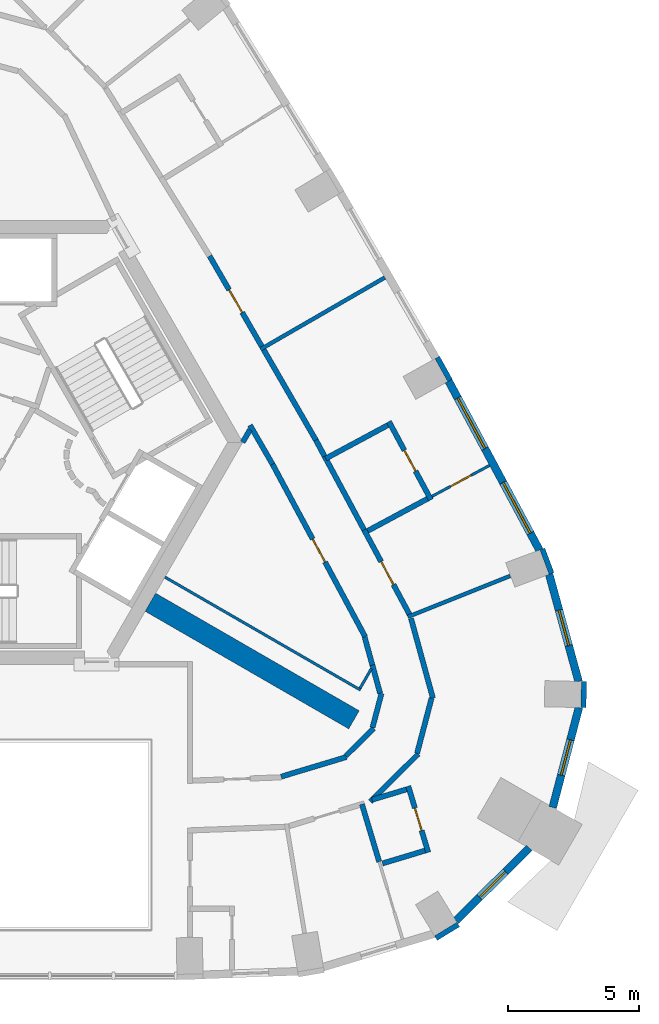
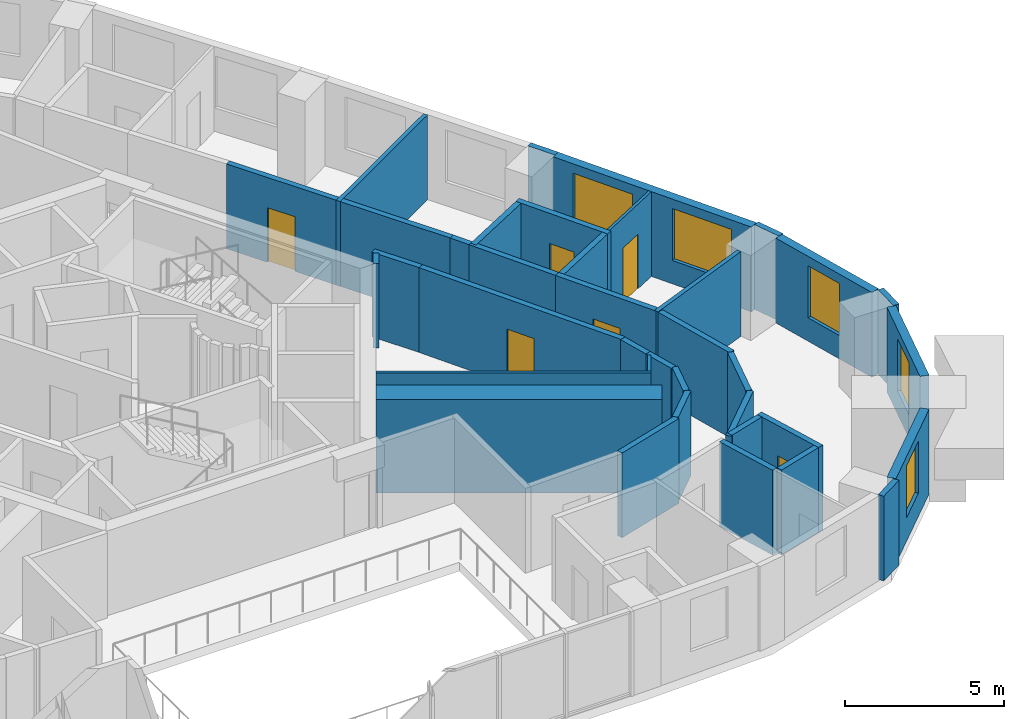
# One storey, part 7 of 11: 37 walls, 6 doors, 5 windows, 11 openings.
"""IFC4 building model written with IfcOpenShell, lengths in metres."""

from ifc_helpers import new_model, si_unit, direction, frame, frame_2d, origin, place, context, subcontext, project, spatial, rectangle, extrude, material, layer, layer_set, type_object, element, fill, save


model = new_model("IFC4")

# Units and contexts
model_context = context("Model", 3, precision=1e-05, world=origin(), true_north=direction((0.0, 1.0)))
body_context = subcontext(model_context, "Body", "Model", "MODEL_VIEW")
ifc_project = project(units=[si_unit("LENGTHUNIT", "METRE"), si_unit("AREAUNIT", "SQUARE_METRE"), si_unit("VOLUMEUNIT", "CUBIC_METRE"), si_unit("PLANEANGLEUNIT", "RADIAN"), si_unit("MASSUNIT", "GRAM", prefix="KILO")], contexts=[model_context])

# Site, building, storey
site_placement = place(None, origin())
site = spatial("IfcSite", under=ifc_project, at=site_placement, CompositionType="ELEMENT")
building_placement = place(site_placement, origin())
building = spatial("IfcBuilding", under=site, at=building_placement, Name="Entoto Arch Interchange Tower", CompositionType="ELEMENT")
storey_placement = place(building_placement, frame((0.0, 0.0, 304.39990234375)))
storey = spatial("IfcBuildingStorey", under=building, at=storey_placement, Name="L71", CompositionType="ELEMENT", Elevation=304.39990234375)

# Walls
ifc_material_1 = material(Name="Concrete C40/50", Category="concrete")
ifc_layer_1 = layer(ifc_material_1, 0.800048828125)
ifc_layer_set_1 = layer_set([ifc_layer_1], Name="Concrete C40/50")
wall_type_1 = type_object("IfcWallType", Name="Buttress wall 800 C40/50", PredefinedType="SHEAR", material=ifc_layer_set_1)
wall_1_placement = place(storey_placement, frame((6.279052734375, -3.625, -0.33984375), z_axis=(0.0, 0.0, 1.0), x_axis=(0.866017533419, -0.500013631625, 0.0)))
element("IfcWall", 1, at=wall_1_placement, inside=storey, type_object=wall_type_1, Name="Buttress wall SE L71", PredefinedType="SHEAR", context=body_context, shape_type="SweptSolid", body=[
    extrude(rectangle(XDim=8.999755859375, YDim=0.800048828125, at=frame_2d((4.5, 0.0))), origin(), (0.0, 0.0, 1.0), 3.599853515625),
])
ifc_material_2 = material(Name="Gypsum board partition on steel studs", Category="steel")
ifc_layer_2 = layer(ifc_material_2, 0.10009765625)
ifc_layer_set_2 = layer_set([ifc_layer_2], Name="Gypsum board partition on steel studs")
wall_type_2 = type_object("IfcWallType", Name="PARTITION 100", PredefinedType="PARTITIONING", material=ifc_layer_set_2)
wall_2_placement = place(storey_placement, frame((6.8349609375, -2.662109375, 0.0), z_axis=(0.0, 0.0, 1.0), x_axis=(0.866023427642, -0.500003422764, 0.0)))
element("IfcWall", 2, at=wall_2_placement, inside=storey, type_object=wall_type_2, Name="wall:L71:p083", PredefinedType="PARTITIONING", context=body_context, shape_type="SweptSolid", body=[
    extrude(rectangle(XDim=8.64990234375, YDim=0.10009765625, at=frame_2d((4.324951171875, 0.0))), origin(), (0.0, 0.0, 1.0), 3.260009765625),
])
wall_3_placement = place(storey_placement, frame((14.306884765625, -6.9189453125, 0.0), z_axis=(0.0, 0.0, 1.0), x_axis=(0.500305662732, 0.865848857387, 0.0)))
element("IfcWall", 3, at=wall_3_placement, inside=storey, type_object=wall_type_2, Name="wall:L71:p084", PredefinedType="PARTITIONING", context=body_context, shape_type="SweptSolid", body=[
    extrude(rectangle(XDim=0.86962890625, YDim=0.10009765625, at=frame_2d((0.434814453125, 0.0))), origin(), (0.0, 0.0, 1.0), 3.260009765625),
])

# Wall, opening, door
wall_4_placement = place(storey_placement, frame((17.06298828125, 0.431884765625, 0.0), z_axis=(0.0, 0.0, 1.0), x_axis=(0.881003472222, 0.473109799024, 0.0)))
wall_4 = element("IfcWall", 4, at=wall_4_placement, inside=storey, type_object=wall_type_2, Name="wall:L71:p099", PredefinedType="PARTITIONING", context=body_context, shape_type="SweptSolid", body=[
    extrude(rectangle(XDim=2.500732421875, YDim=0.10009765625, at=frame_2d((1.25048828125, 0.0))), origin(), (0.0, 0.0, 1.0), 3.260009765625),
])
opening_1_placement = place(wall_4_placement, frame((0.800048828125, 0.0, 0.0)))
opening_1 = element("IfcOpeningElement", 5, at=opening_1_placement, cuts=wall_4, Name="Opening L71-D07", PredefinedType="OPENING", context=body_context, shape_type="SweptSolid", body=[
    extrude(rectangle(XDim=0.89990234375, YDim=2.10009765625, at=frame_2d((0.449951171875, 1.050048828125))), frame((0.0, 0.06005859375, 0.0), z_axis=(0.0, -1.0, 0.0), x_axis=(1.0, 0.0, 0.0)), (0.0, 0.0, 1.0), 0.1201171875),
])
ifc_material_3 = material(Name="Timber door leaf in Steel S235 frame", Category="steel")
door_type_1 = type_object("IfcDoorType", Name="DOOR DS-09 900x2100", OperationType="SINGLE_SWING_LEFT", PredefinedType="DOOR", material=ifc_material_3)
door_1_placement = place(opening_1_placement, origin())
door_1 = element("IfcDoor", 6, at=door_1_placement, inside=storey, type_object=door_type_1, Name="door:L71:07", OperationType="SINGLE_SWING_LEFT", OverallHeight=2.10009765625, OverallWidth=0.89990234375, PredefinedType="DOOR", context=body_context, shape_type="SweptSolid", body=[
    extrude(rectangle(XDim=0.89990234375, YDim=2.10009765625, at=frame_2d((0.449951171875, 1.050048828125))), frame((0.0, 0.02490234375, 0.0), z_axis=(0.0, -1.0, 0.0), x_axis=(1.0, 0.0, 0.0)), (0.0, 0.0, 1.0), 0.050048828125),
])
fill(opening_1, door_1)

# Walls
ifc_layer_3 = layer(ifc_material_2, 0.14990234375)
ifc_layer_set_3 = layer_set([ifc_layer_3], Name="Gypsum board partition on steel studs")
wall_type_3 = type_object("IfcWallType", Name="PARTITION 150", PredefinedType="PARTITIONING", material=ifc_layer_set_3)
wall_5_placement = place(storey_placement, frame((16.137939453125, -4.18505859375, 0.0), z_axis=(0.0, 0.0, 1.0), x_axis=(0.928432751736, 0.371500505388, 0.0)))
element("IfcWall", 7, at=wall_5_placement, inside=storey, type_object=wall_type_3, Name="wall:L71:p098", PredefinedType="PARTITIONING", context=body_context, shape_type="SweptSolid", body=[
    extrude(rectangle(XDim=4.2158203125, YDim=0.14990234375, at=frame_2d((2.10791015625, 0.0))), origin(), (0.0, 0.0, 1.0), 3.260009765625),
])
wall_6_placement = place(storey_placement, frame((10.493896484375, 6.05908203125, 0.0), z_axis=(0.0, 0.0, 1.0), x_axis=(0.866027397988, 0.499996545922, 0.0)))
element("IfcWall", 8, at=wall_6_placement, inside=storey, type_object=wall_type_3, Name="wall:L71:p103", PredefinedType="PARTITIONING", context=body_context, shape_type="SweptSolid", body=[
    extrude(rectangle(XDim=5.5, YDim=0.14990234375, at=frame_2d((2.75, 0.0))), origin(), (0.0, 0.0, 1.0), 3.260009765625),
])
ifc_layer_4 = layer(ifc_material_2, 0.199951171875)
ifc_layer_set_4 = layer_set([ifc_layer_4], Name="Gypsum board partition on steel studs")
wall_type_4 = type_object("IfcWallType", Name="PARTITION 200", PredefinedType="PARTITIONING", material=ifc_layer_set_4)
wall_7_placement = place(storey_placement, frame((11.285888671875, -10.302978515625, 0.0), z_axis=(0.0, 0.0, 1.0), x_axis=(0.957555754851, 0.288248115955, 0.0)))
element("IfcWall", 9, at=wall_7_placement, inside=storey, type_object=wall_type_4, Name="wall:L71:p013", PredefinedType="PARTITIONING", context=body_context, shape_type="SweptSolid", body=[
    extrude(rectangle(XDim=2.612060546875, YDim=0.199951171875, at=frame_2d((1.30615234375, 0.0))), origin(), (0.0, 0.0, 1.0), 3.260009765625),
])
wall_8_placement = place(storey_placement, frame((13.761962890625, -9.509033203125, 0.0), z_axis=(0.0, 0.0, 1.0), x_axis=(0.710749293824, 0.703445407497, 0.0)))
element("IfcWall", 10, at=wall_8_placement, inside=storey, type_object=wall_type_4, Name="wall:L71:p014", PredefinedType="PARTITIONING", context=body_context, shape_type="SweptSolid", body=[
    extrude(rectangle(XDim=1.504150390625, YDim=0.199951171875, at=frame_2d((0.751953125, 0.0))), origin(), (0.0, 0.0, 1.0), 3.260009765625),
])
wall_9_placement = place(storey_placement, frame((14.784912109375, -8.425048828125, 0.0), z_axis=(0.0, 0.0, 1.0), x_axis=(0.253295121261, 0.967389053869, 0.0)))
element("IfcWall", 11, at=wall_9_placement, inside=storey, type_object=wall_type_4, Name="wall:L71:p015", PredefinedType="PARTITIONING", context=body_context, shape_type="SweptSolid", body=[
    extrude(rectangle(XDim=1.354248046875, YDim=0.199951171875, at=frame_2d((0.67724609375, 0.0))), origin(), (0.0, 0.0, 1.0), 3.260009765625),
])
wall_10_placement = place(storey_placement, frame((15.075927734375, -7.114990234375, 0.0), z_axis=(0.0, 0.0, 1.0), x_axis=(-0.264368116744, 0.964421846937, 0.0)))
element("IfcWall", 12, at=wall_10_placement, inside=storey, type_object=wall_type_4, Name="wall:L71:p016", PredefinedType="PARTITIONING", context=body_context, shape_type="SweptSolid", body=[
    extrude(rectangle(XDim=1.123046875, YDim=0.199951171875, at=frame_2d((0.5615234375, 0.0))), origin(), (0.0, 0.0, 1.0), 3.260009765625),
])
wall_11_placement = place(storey_placement, frame((14.779052734375, -6.031982421875, 0.0), z_axis=(0.0, 0.0, 1.0), x_axis=(-0.265740072272, 0.964044715762, 0.0)))
element("IfcWall", 13, at=wall_11_placement, inside=storey, type_object=wall_type_4, Name="wall:L71:p017", PredefinedType="PARTITIONING", context=body_context, shape_type="SweptSolid", body=[
    extrude(rectangle(XDim=1.1181640625, YDim=0.199951171875, at=frame_2d((0.55908203125, 0.0))), origin(), (0.0, 0.0, 1.0), 3.260009765625),
])

# Wall, opening, door
wall_12_placement = place(storey_placement, frame((14.5029296875, -4.946044921875, 0.0), z_axis=(0.0, 0.0, 1.0), x_axis=(-0.473101362557, 0.881008002658, 0.0)))
wall_12 = element("IfcWall", 14, at=wall_12_placement, inside=storey, type_object=wall_type_4, Name="wall:L71:p018", PredefinedType="PARTITIONING", context=body_context, shape_type="SweptSolid", body=[
    extrude(rectangle(XDim=7.4970703125, YDim=0.199951171875, at=frame_2d((3.74853515625, 0.0))), origin(), (0.0, 0.0, 1.0), 3.260009765625),
])
opening_2_placement = place(wall_12_placement, frame((3.2490234375, 0.0, 0.0)))
opening_2 = element("IfcOpeningElement", 15, at=opening_2_placement, cuts=wall_12, Name="Opening L71-D26", PredefinedType="OPENING", context=body_context, shape_type="SweptSolid", body=[
    extrude(rectangle(XDim=1.0, YDim=2.10009765625, at=frame_2d((0.5, 1.050048828125))), frame((0.0, 0.10986328125, 0.0), z_axis=(0.0, -1.0, 0.0), x_axis=(1.0, 0.0, 0.0)), (0.0, 0.0, 1.0), 0.219970703125),
])
door_type_2 = type_object("IfcDoorType", Name="DOOR DS-10 1000x2100", OperationType="SINGLE_SWING_LEFT", PredefinedType="DOOR", material=ifc_material_3)
door_2_placement = place(opening_2_placement, origin())
door_2 = element("IfcDoor", 16, at=door_2_placement, inside=storey, type_object=door_type_2, Name="door:L71:26", OperationType="SINGLE_SWING_LEFT", OverallHeight=2.10009765625, OverallWidth=1.0, PredefinedType="DOOR", context=body_context, shape_type="SweptSolid", body=[
    extrude(rectangle(XDim=1.0, YDim=2.10009765625, at=frame_2d((0.5, 1.050048828125))), frame((0.0, 0.02490234375, 0.0), z_axis=(0.0, -1.0, 0.0), x_axis=(1.0, 0.0, 0.0)), (0.0, 0.0, 1.0), 0.050048828125),
])
fill(opening_2, door_2)

# Walls
wall_13_placement = place(storey_placement, frame((10.9560546875, 1.658935546875, 0.0), z_axis=(0.0, 0.0, 1.0), x_axis=(-0.49992648901, 0.866067841215, 0.0)))
element("IfcWall", 17, at=wall_13_placement, inside=storey, type_object=wall_type_4, Name="wall:L71:p019", PredefinedType="PARTITIONING", context=body_context, shape_type="SweptSolid", body=[
    extrude(rectangle(XDim=1.726318359375, YDim=0.199951171875, at=frame_2d((0.86328125, 0.0))), origin(), (0.0, 0.0, 1.0), 3.260009765625),
])
wall_14_placement = place(storey_placement, frame((10.092041015625, 2.98095703125, 0.0), z_axis=(0.0, 0.0, 1.0), x_axis=(-0.501296484717, -0.865275582927, 0.0)))
element("IfcWall", 18, at=wall_14_placement, inside=storey, type_object=wall_type_4, Name="wall:L71:p020", PredefinedType="PARTITIONING", context=body_context, shape_type="SweptSolid", body=[
    extrude(rectangle(XDim=0.5546875, YDim=0.199951171875, at=frame_2d((0.27734375, 0.0))), origin(), (0.0, 0.0, 1.0), 3.260009765625),
])
wall_15_placement = place(storey_placement, frame((16.258056640625, -4.243896484375, 0.0), z_axis=(0.0, 0.0, 1.0), x_axis=(0.264930673246, -0.964267462053, 0.0)))
element("IfcWall", 19, at=wall_15_placement, inside=storey, type_object=wall_type_4, Name="wall:L71:p033", PredefinedType="PARTITIONING", context=body_context, shape_type="SweptSolid", body=[
    extrude(rectangle(XDim=3.166259765625, YDim=0.199951171875, at=frame_2d((1.5830078125, 0.0))), origin(), (0.0, 0.0, 1.0), 3.260009765625),
])
wall_16_placement = place(storey_placement, frame((17.044921875, -7.297119140625, 0.0), z_axis=(0.0, 0.0, 1.0), x_axis=(-0.253618393349, -0.967304352598, 0.0)))
element("IfcWall", 20, at=wall_16_placement, inside=storey, type_object=wall_type_4, Name="wall:L71:p034", PredefinedType="PARTITIONING", context=body_context, shape_type="SweptSolid", body=[
    extrude(rectangle(XDim=2.184326171875, YDim=0.199951171875, at=frame_2d((1.09228515625, 0.0))), origin(), (0.0, 0.0, 1.0), 3.260009765625),
])
wall_17_placement = place(storey_placement, frame((16.537109375, -9.43603515625, 0.0), z_axis=(0.0, 0.0, 1.0), x_axis=(-0.710773151724, -0.703421301063, 0.0)))
element("IfcWall", 21, at=wall_17_placement, inside=storey, type_object=wall_type_4, Name="wall:L71:p035", PredefinedType="PARTITIONING", context=body_context, shape_type="SweptSolid", body=[
    extrude(rectangle(XDim=2.59033203125, YDim=0.199951171875, at=frame_2d((1.295166015625, 0.0))), origin(), (0.0, 0.0, 1.0), 3.260009765625),
])

# Wall, opening, door
wall_18_placement = place(storey_placement, frame((14.4609375, -0.85205078125, 0.0), z_axis=(0.0, 0.0, 1.0), x_axis=(0.473160180459, -0.88097641491, 0.0)))
wall_18 = element("IfcWall", 22, at=wall_18_placement, inside=storey, type_object=wall_type_4, Name="wall:L71:p036", PredefinedType="PARTITIONING", context=body_context, shape_type="SweptSolid", body=[
    extrude(rectangle(XDim=3.76611328125, YDim=0.199951171875, at=frame_2d((1.883056640625, 0.0))), origin(), (0.0, 0.0, 1.0), 3.260009765625),
])
opening_3_placement = place(wall_18_placement, frame((1.383056640625, 0.0, 0.0)))
opening_3 = element("IfcOpeningElement", 23, at=opening_3_placement, cuts=wall_18, Name="Opening L71-D06", PredefinedType="OPENING", context=body_context, shape_type="SweptSolid", body=[
    extrude(rectangle(XDim=1.0, YDim=2.10009765625, at=frame_2d((0.5, 1.050048828125))), frame((0.0, 0.10986328125, 0.0), z_axis=(0.0, -1.0, 0.0), x_axis=(1.0, 0.0, 0.0)), (0.0, 0.0, 1.0), 0.219970703125),
])
ifc_material_4 = material(Name="Fire-rated Steel S235 door and frame", Category="steel")
door_type_3 = type_object("IfcDoorType", Name="DOOR FD-10 1000x2100", OperationType="SINGLE_SWING_LEFT", PredefinedType="DOOR", material=ifc_material_4)
door_3_placement = place(opening_3_placement, origin())
door_3 = element("IfcDoor", 24, at=door_3_placement, inside=storey, type_object=door_type_3, Name="door:L71:06", OperationType="SINGLE_SWING_LEFT", OverallHeight=2.10009765625, OverallWidth=1.0, PredefinedType="DOOR", context=body_context, shape_type="SweptSolid", body=[
    extrude(rectangle(XDim=1.0, YDim=2.10009765625, at=frame_2d((0.5, 1.050048828125))), frame((0.0, 0.02490234375, 0.0), z_axis=(0.0, -1.0, 0.0), x_axis=(1.0, 0.0, 0.0)), (0.0, 0.0, 1.0), 0.050048828125),
])
fill(opening_3, door_3)

# Walls
wall_19_placement = place(storey_placement, frame((10.617919921875, 6.0439453125, 0.0), z_axis=(0.0, 0.0, 1.0), x_axis=(0.50008212199, -0.86597798544, 0.0)))
element("IfcWall", 25, at=wall_19_placement, inside=storey, type_object=wall_type_4, Name="wall:L71:p037", PredefinedType="PARTITIONING", context=body_context, shape_type="SweptSolid", body=[
    extrude(rectangle(XDim=3.995361328125, YDim=0.199951171875, at=frame_2d((1.99755859375, 0.0))), origin(), (0.0, 0.0, 1.0), 3.260009765625),
])
wall_20_placement = place(storey_placement, frame((12.615966796875, 2.583984375, 0.0), z_axis=(0.0, 0.0, 1.0), x_axis=(0.472830911699, -0.881153181315, 0.0)))
element("IfcWall", 26, at=wall_20_placement, inside=storey, type_object=wall_type_4, Name="wall:L71:p038", PredefinedType="PARTITIONING", context=body_context, shape_type="SweptSolid", body=[
    extrude(rectangle(XDim=0.7001953125, YDim=0.199951171875, at=frame_2d((0.35009765625, 0.0))), origin(), (0.0, 0.0, 1.0), 3.260009765625),
])
wall_21_placement = place(storey_placement, frame((12.947021484375, 1.967041015625, 0.0), z_axis=(0.0, 0.0, 1.0), x_axis=(0.473116768279, -0.88099972961, 0.0)))
element("IfcWall", 27, at=wall_21_placement, inside=storey, type_object=wall_type_4, Name="wall:L71:p039", PredefinedType="PARTITIONING", context=body_context, shape_type="SweptSolid", body=[
    extrude(rectangle(XDim=3.199951171875, YDim=0.199951171875, at=frame_2d((1.60009765625, 0.0))), origin(), (0.0, 0.0, 1.0), 3.260009765625),
])

# Wall, opening, door
wall_22_placement = place(storey_placement, frame((8.544921875, 9.634033203125, 0.0), z_axis=(0.0, 0.0, 1.0), x_axis=(0.50008212199, -0.86597798544, 0.0)))
wall_22 = element("IfcWall", 28, at=wall_22_placement, inside=storey, type_object=wall_type_4, Name="wall:L71:p041", PredefinedType="PARTITIONING", context=body_context, shape_type="SweptSolid", body=[
    extrude(rectangle(XDim=3.995361328125, YDim=0.199951171875, at=frame_2d((1.99755859375, 0.0))), origin(), (0.0, 0.0, 1.0), 3.260009765625),
])
opening_4_placement = place(wall_22_placement, frame((1.498046875, 0.0, 0.0)))
opening_4 = element("IfcOpeningElement", 29, at=opening_4_placement, cuts=wall_22, Name="Opening L71-D09", PredefinedType="OPENING", context=body_context, shape_type="SweptSolid", body=[
    extrude(rectangle(XDim=1.0, YDim=2.10009765625, at=frame_2d((0.5, 1.050048828125))), frame((0.0, 0.10986328125, 0.0), z_axis=(0.0, -1.0, 0.0), x_axis=(1.0, 0.0, 0.0)), (0.0, 0.0, 1.0), 0.219970703125),
])
door_4_placement = place(opening_4_placement, origin())
door_4 = element("IfcDoor", 30, at=door_4_placement, inside=storey, type_object=door_type_3, Name="door:L71:09", OperationType="SINGLE_SWING_LEFT", OverallHeight=2.10009765625, OverallWidth=1.0, PredefinedType="DOOR", context=body_context, shape_type="SweptSolid", body=[
    extrude(rectangle(XDim=1.0, YDim=2.10009765625, at=frame_2d((0.5, 1.050048828125))), frame((0.0, 0.02490234375, 0.0), z_axis=(0.0, -1.0, 0.0), x_axis=(1.0, 0.0, 0.0)), (0.0, 0.0, 1.0), 0.050048828125),
])
fill(opening_4, door_4)

# Walls
wall_23_placement = place(storey_placement, frame((14.3779296875, -11.35693359375, 0.0), z_axis=(0.0, 0.0, 1.0), x_axis=(0.287932252498, -0.957650780802, 0.0)))
element("IfcWall", 31, at=wall_23_placement, inside=storey, type_object=wall_type_4, Name="wall:L71:p094", PredefinedType="PARTITIONING", context=body_context, shape_type="SweptSolid", body=[
    extrude(rectangle(XDim=2.299560546875, YDim=0.199951171875, at=frame_2d((1.14990234375, 0.0))), origin(), (0.0, 0.0, 1.0), 3.260009765625),
])
wall_24_placement = place(storey_placement, frame((15.1650390625, -13.6259765625, 0.0), z_axis=(0.0, 0.0, 1.0), x_axis=(0.957565028189, 0.288217308275, 0.0)))
element("IfcWall", 32, at=wall_24_placement, inside=storey, type_object=wall_type_4, Name="wall:L71:p095", PredefinedType="PARTITIONING", context=body_context, shape_type="SweptSolid", body=[
    extrude(rectangle(XDim=1.699951171875, YDim=0.199951171875, at=frame_2d((0.85009765625, 0.0))), origin(), (0.0, 0.0, 1.0), 3.260009765625),
])

# Wall, opening, door
wall_25_placement = place(storey_placement, frame((16.9169921875, -13.202880859375, 0.0), z_axis=(0.0, 0.0, 1.0), x_axis=(-0.287998855134, 0.957630753183, 0.0)))
wall_25 = element("IfcWall", 33, at=wall_25_placement, inside=storey, type_object=wall_type_4, Name="wall:L71:p096", PredefinedType="PARTITIONING", context=body_context, shape_type="SweptSolid", body=[
    extrude(rectangle(XDim=2.649169921875, YDim=0.199951171875, at=frame_2d((1.32470703125, 0.0))), origin(), (0.0, 0.0, 1.0), 3.260009765625),
])
opening_5_placement = place(wall_25_placement, frame((0.875, 0.0, 0.0)))
opening_5 = element("IfcOpeningElement", 34, at=opening_5_placement, cuts=wall_25, Name="Opening L71-D05", PredefinedType="OPENING", context=body_context, shape_type="SweptSolid", body=[
    extrude(rectangle(XDim=0.89990234375, YDim=2.10009765625, at=frame_2d((0.449951171875, 1.050048828125))), frame((0.0, 0.10986328125, 0.0), z_axis=(0.0, -1.0, 0.0), x_axis=(1.0, 0.0, 0.0)), (0.0, 0.0, 1.0), 0.219970703125),
])
door_5_placement = place(opening_5_placement, origin())
door_5 = element("IfcDoor", 35, at=door_5_placement, inside=storey, type_object=door_type_1, Name="door:L71:05", OperationType="SINGLE_SWING_LEFT", OverallHeight=2.10009765625, OverallWidth=0.89990234375, PredefinedType="DOOR", context=body_context, shape_type="SweptSolid", body=[
    extrude(rectangle(XDim=0.89990234375, YDim=2.10009765625, at=frame_2d((0.449951171875, 1.050048828125))), frame((0.0, 0.02490234375, 0.0), z_axis=(0.0, -1.0, 0.0), x_axis=(1.0, 0.0, 0.0)), (0.0, 0.0, 1.0), 0.050048828125),
])
fill(opening_5, door_5)

# Walls
wall_26_placement = place(storey_placement, frame((16.0869140625, -10.7900390625, 0.0), z_axis=(0.0, 0.0, 1.0), x_axis=(-0.957425655367, -0.288679951581, 0.0)))
element("IfcWall", 36, at=wall_26_placement, inside=storey, type_object=wall_type_4, Name="wall:L71:p097", PredefinedType="PARTITIONING", context=body_context, shape_type="SweptSolid", body=[
    extrude(rectangle(XDim=1.37841796875, YDim=0.199951171875, at=frame_2d((0.689208984375, 0.0))), origin(), (0.0, 0.0, 1.0), 3.260009765625),
])
wall_27_placement = place(storey_placement, frame((14.596923828125, -0.89306640625, 0.0), z_axis=(0.0, 0.0, 1.0), x_axis=(0.880971229432, 0.473169835168, 0.0)))
element("IfcWall", 37, at=wall_27_placement, inside=storey, type_object=wall_type_4, Name="wall:L71:p100", PredefinedType="PARTITIONING", context=body_context, shape_type="SweptSolid", body=[
    extrude(rectangle(XDim=2.599365234375, YDim=0.199951171875, at=frame_2d((1.2998046875, 0.0))), origin(), (0.0, 0.0, 1.0), 3.260009765625),
])

# Wall, opening, door
wall_28_placement = place(storey_placement, frame((17.02294921875, 0.297119140625, 0.0), z_axis=(0.0, 0.0, 1.0), x_axis=(-0.473247398557, 0.88092956572, 0.0)))
wall_28 = element("IfcWall", 38, at=wall_28_placement, inside=storey, type_object=wall_type_4, Name="wall:L71:p101", PredefinedType="PARTITIONING", context=body_context, shape_type="SweptSolid", body=[
    extrude(rectangle(XDim=3.399658203125, YDim=0.199951171875, at=frame_2d((1.69970703125, 0.0))), origin(), (0.0, 0.0, 1.0), 3.260009765625),
])
opening_6_placement = place(wall_28_placement, frame((1.25, 0.0, 0.0)))
opening_6 = element("IfcOpeningElement", 39, at=opening_6_placement, cuts=wall_28, Name="Opening L71-D08", PredefinedType="OPENING", context=body_context, shape_type="SweptSolid", body=[
    extrude(rectangle(XDim=0.89990234375, YDim=2.10009765625, at=frame_2d((0.449951171875, 1.050048828125))), frame((0.0, 0.10986328125, 0.0), z_axis=(0.0, -1.0, 0.0), x_axis=(1.0, 0.0, 0.0)), (0.0, 0.0, 1.0), 0.219970703125),
])
door_6_placement = place(opening_6_placement, origin())
door_6 = element("IfcDoor", 40, at=door_6_placement, inside=storey, type_object=door_type_1, Name="door:L71:08", OperationType="SINGLE_SWING_LEFT", OverallHeight=2.10009765625, OverallWidth=0.89990234375, PredefinedType="DOOR", context=body_context, shape_type="SweptSolid", body=[
    extrude(rectangle(XDim=0.89990234375, YDim=2.10009765625, at=frame_2d((0.449951171875, 1.050048828125))), frame((0.0, 0.02490234375, 0.0), z_axis=(0.0, -1.0, 0.0), x_axis=(1.0, 0.0, 0.0)), (0.0, 0.0, 1.0), 0.050048828125),
])
fill(opening_6, door_6)

# Wall
wall_29_placement = place(storey_placement, frame((15.373046875, 3.156982421875, 0.0), z_axis=(0.0, 0.0, 1.0), x_axis=(-0.880935111027, -0.473237076062, 0.0)))
element("IfcWall", 41, at=wall_29_placement, inside=storey, type_object=wall_type_4, Name="wall:L71:p102", PredefinedType="PARTITIONING", context=body_context, shape_type="SweptSolid", body=[
    extrude(rectangle(XDim=2.70068359375, YDim=0.199951171875, at=frame_2d((1.350341796875, 0.0))), origin(), (0.0, 0.0, 1.0), 3.260009765625),
])

# Wall, opening, window
ifc_material_5 = material(Name="Welded tuff (ignimbrite) cladding, warm buff", Category="masonry")
ifc_layer_5 = layer(ifc_material_5, 0.300048828125)
ifc_layer_set_5 = layer_set([ifc_layer_5], Name="Welded tuff (ignimbrite) cladding, warm buff")
wall_type_5 = type_object("IfcWallType", Name="STONE INFILL WALL 300", PredefinedType="STANDARD", material=ifc_layer_set_5)
wall_30_placement = place(storey_placement, frame((17.97607421875, -15.820068359375, 0.0), z_axis=(0.0, 0.0, 1.0), x_axis=(0.710893699296, 0.703299472701, 0.0)))
wall_30 = element("IfcWall", 42, at=wall_30_placement, inside=storey, type_object=wall_type_5, Name="Facade wall SE-02 L71", PredefinedType="STANDARD", context=body_context, shape_type="SweptSolid", body=[
    extrude(rectangle(XDim=3.954345703125, YDim=0.300048828125, at=frame_2d((1.97705078125, 0.0))), origin(), (0.0, 0.0, 1.0), 3.260009765625),
])
opening_7_placement = place(wall_30_placement, frame((1.277099609375, 0.0, 0.89990234375)))
opening_7 = element("IfcOpeningElement", 43, at=opening_7_placement, cuts=wall_30, Name="Opening WH-B", PredefinedType="OPENING", context=body_context, shape_type="SweptSolid", body=[
    extrude(rectangle(XDim=1.39990234375, YDim=2.0, at=frame_2d((0.699951171875, 1.0))), frame((0.0, 0.16015625, 0.0), z_axis=(0.0, -1.0, 0.0), x_axis=(1.0, 0.0, 0.0)), (0.0, 0.0, 1.0), 0.320068359375),
])
ifc_material_6 = material(Name="Clear glass, low-e double glazed", Category="glass")
window_type_1 = type_object("IfcWindowType", Name="WINDOW WH-B 1400x2000", PartitioningType="DOUBLE_PANEL_VERTICAL", PredefinedType="WINDOW", material=ifc_material_6)
window_1_placement = place(opening_7_placement, origin())
window_1 = element("IfcWindow", 44, at=window_1_placement, inside=storey, type_object=window_type_1, Name="Window WH-B SE-02 L71", OverallHeight=2.0, OverallWidth=1.39990234375, PartitioningType="SINGLE_PANEL", PredefinedType="WINDOW", context=body_context, shape_type="SweptSolid", body=[
    extrude(rectangle(XDim=1.39990234375, YDim=2.0, at=frame_2d((0.699951171875, 1.0))), frame((0.0, 0.030029296875, 0.0), z_axis=(0.0, -1.0, 0.0), x_axis=(1.0, 0.0, 0.0)), (0.0, 0.0, 1.0), 0.06005859375),
])
fill(opening_7, window_1)

wall_31_placement = place(storey_placement, frame((21.68603515625, -11.48193359375, 0.0), z_axis=(0.0, 0.0, 1.0), x_axis=(0.253402039956, 0.96736105263, 0.0)))
wall_31 = element("IfcWall", 45, at=wall_31_placement, inside=storey, type_object=wall_type_5, Name="Facade wall SE-03 L71", PredefinedType="STANDARD", context=body_context, shape_type="SweptSolid", body=[
    extrude(rectangle(XDim=3.9541015625, YDim=0.300048828125, at=frame_2d((1.97705078125, 0.0))), origin(), (0.0, 0.0, 1.0), 3.260009765625),
])
opening_8_placement = place(wall_31_placement, frame((1.277099609375, 0.0, 0.89990234375)))
opening_8 = element("IfcOpeningElement", 46, at=opening_8_placement, cuts=wall_31, Name="Opening WH-B", PredefinedType="OPENING", context=body_context, shape_type="SweptSolid", body=[
    extrude(rectangle(XDim=1.39990234375, YDim=2.0, at=frame_2d((0.699951171875, 1.0))), frame((0.0, 0.16015625, 0.0), z_axis=(0.0, -1.0, 0.0), x_axis=(1.0, 0.0, 0.0)), (0.0, 0.0, 1.0), 0.320068359375),
])
window_2_placement = place(opening_8_placement, origin())
window_2 = element("IfcWindow", 47, at=window_2_placement, inside=storey, type_object=window_type_1, Name="Window WH-B SE-03 L71", OverallHeight=2.0, OverallWidth=1.39990234375, PartitioningType="SINGLE_PANEL", PredefinedType="WINDOW", context=body_context, shape_type="SweptSolid", body=[
    extrude(rectangle(XDim=1.39990234375, YDim=2.0, at=frame_2d((0.699951171875, 1.0))), frame((0.0, 0.030029296875, 0.0), z_axis=(0.0, -1.0, 0.0), x_axis=(1.0, 0.0, 0.0)), (0.0, 0.0, 1.0), 0.06005859375),
])
fill(opening_8, window_2)

wall_32_placement = place(storey_placement, frame((22.677001953125, -6.658935546875, 0.0), z_axis=(0.0, 0.0, 1.0), x_axis=(-0.264892613927, 0.964277917971, 0.0)))
wall_32 = element("IfcWall", 48, at=wall_32_placement, inside=storey, type_object=wall_type_5, Name="Facade wall SE-04 L71", PredefinedType="STANDARD", context=body_context, shape_type="SweptSolid", body=[
    extrude(rectangle(XDim=4.258056640625, YDim=0.300048828125, at=frame_2d((2.12890625, 0.0))), origin(), (0.0, 0.0, 1.0), 3.260009765625),
])
opening_9_placement = place(wall_32_placement, frame((1.428955078125, 0.0, 0.89990234375)))
opening_9 = element("IfcOpeningElement", 49, at=opening_9_placement, cuts=wall_32, Name="Opening WH-B", PredefinedType="OPENING", context=body_context, shape_type="SweptSolid", body=[
    extrude(rectangle(XDim=1.39990234375, YDim=2.0, at=frame_2d((0.699951171875, 1.0))), frame((0.0, 0.16015625, 0.0), z_axis=(0.0, -1.0, 0.0), x_axis=(1.0, 0.0, 0.0)), (0.0, 0.0, 1.0), 0.320068359375),
])
window_3_placement = place(opening_9_placement, origin())
window_3 = element("IfcWindow", 50, at=window_3_placement, inside=storey, type_object=window_type_1, Name="Window WH-B SE-04 L71", OverallHeight=2.0, OverallWidth=1.39990234375, PartitioningType="SINGLE_PANEL", PredefinedType="WINDOW", context=body_context, shape_type="SweptSolid", body=[
    extrude(rectangle(XDim=1.39990234375, YDim=2.0, at=frame_2d((0.699951171875, 1.0))), frame((0.0, 0.030029296875, 0.0), z_axis=(0.0, -1.0, 0.0), x_axis=(1.0, 0.0, 0.0)), (0.0, 0.0, 1.0), 0.06005859375),
])
fill(opening_9, window_3)

# Wall, openings, windows
wall_33_placement = place(storey_placement, frame((21.177001953125, -1.6259765625, 0.0), z_axis=(0.0, 0.0, 1.0), x_axis=(-0.473225522632, 0.880941317415, 0.0)))
wall_33 = element("IfcWall", 51, at=wall_33_placement, inside=storey, type_object=wall_type_5, Name="Facade wall NE-01 L71", PredefinedType="STANDARD", context=body_context, shape_type="SweptSolid", body=[
    extrude(rectangle(XDim=7.345458984375, YDim=0.300048828125, at=frame_2d((3.6728515625, 0.0))), origin(), (0.0, 0.0, 1.0), 3.260009765625),
])
opening_10_placement = place(wall_33_placement, frame((0.736083984375, 0.0, 0.89990234375)))
opening_10 = element("IfcOpeningElement", 52, at=opening_10_placement, cuts=wall_33, Name="Opening WH-A", PredefinedType="OPENING", context=body_context, shape_type="SweptSolid", body=[
    extrude(rectangle(XDim=2.199951171875, YDim=2.0, at=frame_2d((1.10009765625, 1.0))), frame((0.0, 0.16015625, 0.0), z_axis=(0.0, -1.0, 0.0), x_axis=(1.0, 0.0, 0.0)), (0.0, 0.0, 1.0), 0.320068359375),
])
opening_11_placement = place(wall_33_placement, frame((4.408935546875, 0.0, 0.89990234375)))
opening_11 = element("IfcOpeningElement", 53, at=opening_11_placement, cuts=wall_33, Name="Opening WH-A", PredefinedType="OPENING", context=body_context, shape_type="SweptSolid", body=[
    extrude(rectangle(XDim=2.199951171875, YDim=2.0, at=frame_2d((1.10009765625, 1.0))), frame((0.0, 0.16015625, 0.0), z_axis=(0.0, -1.0, 0.0), x_axis=(1.0, 0.0, 0.0)), (0.0, 0.0, 1.0), 0.320068359375),
])
window_type_2 = type_object("IfcWindowType", Name="WINDOW WH-A 2200x2000", PartitioningType="DOUBLE_PANEL_VERTICAL", PredefinedType="WINDOW", material=ifc_material_6)
window_4_placement = place(opening_10_placement, origin())
window_4 = element("IfcWindow", 54, at=window_4_placement, inside=storey, type_object=window_type_2, Name="Window WH-A NE-01 L71", OverallHeight=2.0, OverallWidth=2.199951171875, PartitioningType="SINGLE_PANEL", PredefinedType="WINDOW", context=body_context, shape_type="SweptSolid", body=[
    extrude(rectangle(XDim=2.199951171875, YDim=2.0, at=frame_2d((1.10009765625, 1.0))), frame((0.0, 0.030029296875, 0.0), z_axis=(0.0, -1.0, 0.0), x_axis=(1.0, 0.0, 0.0)), (0.0, 0.0, 1.0), 0.06005859375),
])
fill(opening_10, window_4)
window_5_placement = place(opening_11_placement, origin())
window_5 = element("IfcWindow", 55, at=window_5_placement, inside=storey, type_object=window_type_2, Name="Window WH-A NE-01 L71", OverallHeight=2.0, OverallWidth=2.199951171875, PartitioningType="SINGLE_PANEL", PredefinedType="WINDOW", context=body_context, shape_type="SweptSolid", body=[
    extrude(rectangle(XDim=2.199951171875, YDim=2.0, at=frame_2d((1.10009765625, 1.0))), frame((0.0, 0.030029296875, 0.0), z_axis=(0.0, -1.0, 0.0), x_axis=(1.0, 0.0, 0.0)), (0.0, 0.0, 1.0), 0.06005859375),
])
fill(opening_11, window_5)

# Walls
ifc_layer_6 = layer(ifc_material_5, 0.199951171875)
ifc_layer_set_6 = layer_set([ifc_layer_6], Name="Welded tuff (ignimbrite) cladding, warm buff")
wall_type_6 = type_object("IfcWallType", Name="STONE PIER CLADDING 200", PredefinedType="STANDARD", material=ifc_layer_set_6)
wall_34_placement = place(storey_placement, frame((21.638916015625, -2.52001953125, 0.0), z_axis=(0.0, 0.0, 1.0), x_axis=(-0.350962844851, 0.936389385637, 0.0)))
element("IfcWall", 56, at=wall_34_placement, inside=storey, type_object=wall_type_6, Name="Stone pier NE01 L71", PredefinedType="STANDARD", context=body_context, shape_type="SweptSolid", body=[
    extrude(rectangle(XDim=0.99951171875, YDim=0.199951171875, at=frame_2d((0.499755859375, 0.0))), origin(), (0.0, 0.0, 1.0), 3.260009765625),
])
wall_35_placement = place(storey_placement, frame((17.751953125, 4.8720703125, 0.0), z_axis=(0.0, 0.0, 1.0), x_axis=(-0.485850211157, 0.874042088414, 0.0)))
element("IfcWall", 57, at=wall_35_placement, inside=storey, type_object=wall_type_6, Name="Stone pier NE02 L71", PredefinedType="STANDARD", context=body_context, shape_type="SweptSolid", body=[
    extrude(rectangle(XDim=1.0, YDim=0.199951171875, at=frame_2d((0.5, 0.0))), origin(), (0.0, 0.0, 1.0), 3.260009765625),
])
wall_36_placement = place(storey_placement, frame((17.212890625, -16.487060546875, 0.0), z_axis=(0.0, 0.0, 1.0), x_axis=(0.853679739553, 0.520798331677, 0.0)))
element("IfcWall", 58, at=wall_36_placement, inside=storey, type_object=wall_type_6, Name="Stone pier SE1 L71", PredefinedType="STANDARD", context=body_context, shape_type="SweptSolid", body=[
    extrude(rectangle(XDim=1.00048828125, YDim=0.199951171875, at=frame_2d((0.500244140625, 0.0))), origin(), (0.0, 0.0, 1.0), 3.260009765625),
])
wall_37_placement = place(storey_placement, frame((22.860107421875, -7.662109375, 0.0), z_axis=(0.0, 0.0, 1.0), x_axis=(0.023942303888, 0.999713341956, 0.0)))
element("IfcWall", 59, at=wall_37_placement, inside=storey, type_object=wall_type_6, Name="Stone pier SE3 L71", PredefinedType="STANDARD", context=body_context, shape_type="SweptSolid", body=[
    extrude(rectangle(XDim=0.999267578125, YDim=0.199951171875, at=frame_2d((0.49951171875, 0.0))), origin(), (0.0, 0.0, 1.0), 3.260009765625),
])

save(model, "model.ifc")
